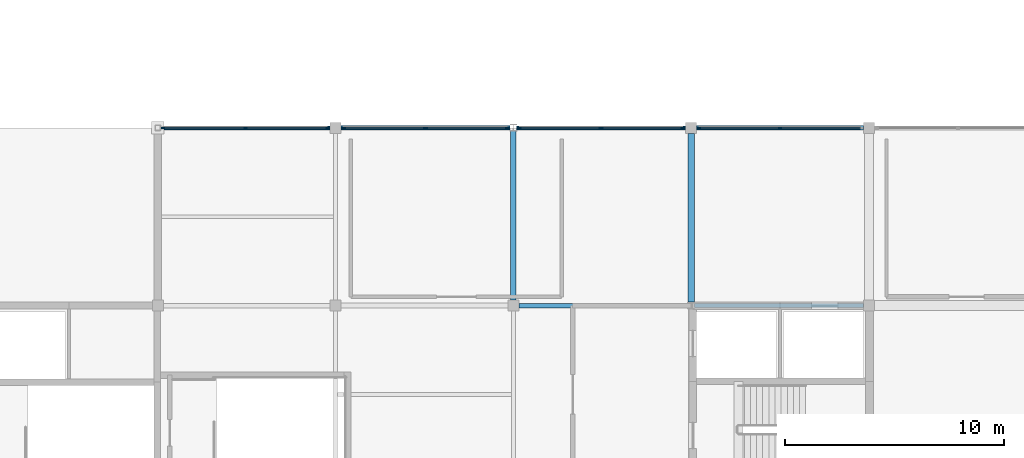
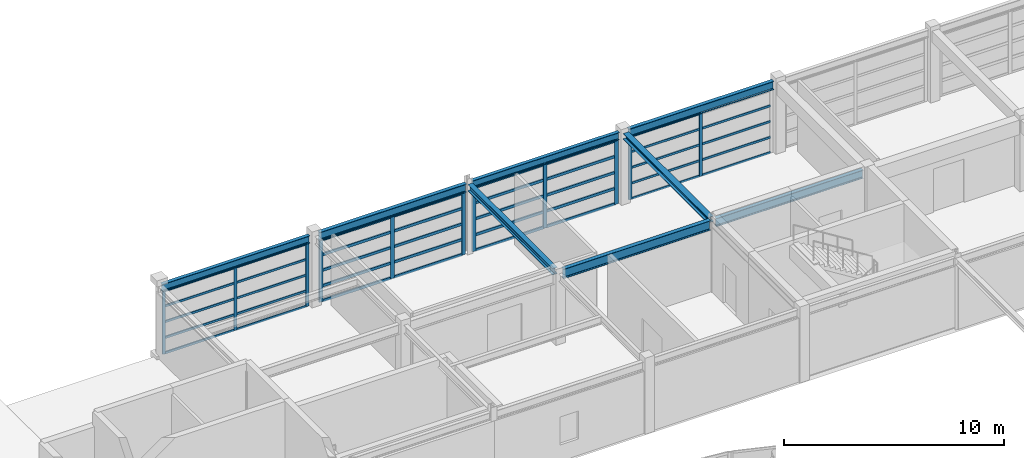
# One storey, part 27 of 54: 50 members, 8 beams, 4 elements without a shape of their own.
"""IFC4 building model written with IfcOpenShell, lengths in metres."""

from ifc_helpers import new_model, si_unit, direction, frame, origin, origin_2d, place, context, subcontext, project, spatial, rectangle, i_section, extrude, material, material_profile, profile_set, type_object, element, aggregate, save


model = new_model("IFC4")

# Units and contexts
model_context = context("Model", 3, precision=1e-05, world=origin(), true_north=direction((0.0, 1.0)))
body_context = subcontext(model_context, "Body", "Model", "MODEL_VIEW")
ifc_project = project(units=[si_unit("LENGTHUNIT", "METRE"), si_unit("AREAUNIT", "SQUARE_METRE"), si_unit("VOLUMEUNIT", "CUBIC_METRE"), si_unit("PLANEANGLEUNIT", "RADIAN"), si_unit("MASSUNIT", "GRAM", prefix="KILO")], contexts=[model_context])

# Site, building, storey
site_placement = place(None, origin())
site = spatial("IfcSite", under=ifc_project, at=site_placement, CompositionType="ELEMENT")
building_placement = place(site_placement, origin())
building = spatial("IfcBuilding", under=site, at=building_placement, Name="Parian Resonance Hall", CompositionType="ELEMENT")
storey_placement = place(building_placement, frame((0.0, 0.0, 15.0)))
storey = spatial("IfcBuildingStorey", under=building, at=storey_placement, Name="L03", CompositionType="ELEMENT", Elevation=15.0)

# Beams
ifc_material_1 = material(Name="Steel S355", Category="steel")
ifc_material_profile_1 = material_profile(ifc_material_1, i_section(OverallWidth=0.304931640625, OverallDepth=0.30810546875, WebThickness=0.010009765625, FlangeThickness=0.015380859375, FilletRadius=0.01513671875, at=origin_2d()), Name="W310x97")
ifc_profile_set_1 = profile_set([ifc_material_profile_1], Name="Steel S355")
beam_type_1 = type_object("IfcBeamType", Name="BM-W310x97", PredefinedType="BEAM", material=ifc_profile_set_1)
beam_1_placement = place(storey_placement, frame((56.699951171875, 81.154052734375, 3.805908203125), z_axis=(0.0, 1.0, 0.0), x_axis=(-1.0, 0.0, 0.0)))
element("IfcBeam", 1, at=beam_1_placement, inside=storey, type_object=beam_type_1, Name="GY-L03-0871", PredefinedType="BEAM", context=body_context, shape_type="SweptSolid", body=[
    extrude(i_section(OverallWidth=0.304931640625, OverallDepth=0.30810546875, WebThickness=0.010009765625, FlangeThickness=0.015380859375, FilletRadius=0.01513671875, at=origin_2d()), origin(), (0.0, 0.0, 1.0), 7.696044921875),
])
ifc_material_2 = material(Name="Steel S355", Category="steel")
ifc_material_profile_2 = material_profile(ifc_material_2, i_section(OverallWidth=0.2548828125, OverallDepth=0.35693359375, WebThickness=0.010498046875, FlangeThickness=0.018310546875, FilletRadius=0.01513671875, at=origin_2d()), Name="W360x101")
ifc_profile_set_2 = profile_set([ifc_material_profile_2], Name="Steel S355")
beam_type_2 = type_object("IfcBeamType", Name="BM-W360x101", PredefinedType="SPANDREL", material=ifc_profile_set_2)
beam_2_placement = place(storey_placement, frame((48.60009765625, 81.25, 3.7314453125), z_axis=(0.0, 1.0, 0.0), x_axis=(-1.0, 0.0, 0.0)))
element("IfcBeam", 2, at=beam_2_placement, inside=storey, type_object=beam_type_2, Name="GY-L03-0869", PredefinedType="SPANDREL", context=body_context, shape_type="SweptSolid", body=[
    extrude(i_section(OverallWidth=0.2548828125, OverallDepth=0.35693359375, WebThickness=0.010498046875, FlangeThickness=0.018310546875, FilletRadius=0.01513671875, at=origin_2d()), origin(), (0.0, 0.0, 1.0), 7.696044921875),
])
ifc_material_3 = material(Name="Steel S355", Category="steel")
ifc_material_profile_3 = material_profile(ifc_material_3, i_section(OverallWidth=0.180908203125, OverallDepth=0.4169921875, WebThickness=0.010986328125, FlangeThickness=0.018310546875, FilletRadius=0.01513671875, at=origin_2d()), Name="W410x85")
ifc_profile_set_3 = profile_set([ifc_material_profile_3], Name="Steel S355")
beam_type_3 = type_object("IfcBeamType", Name="BM-W410x85", PredefinedType="SPANDREL", material=ifc_profile_set_3)
beam_3_placement = place(storey_placement, frame((32.52490234375, 89.10009765625, 3.701416015625), z_axis=(1.0, 0.0, 0.0), x_axis=(0.0, 1.0, 0.0)))
element("IfcBeam", 3, at=beam_3_placement, inside=storey, type_object=beam_type_3, Name="GX-L03-0815", PredefinedType="SPANDREL", context=body_context, shape_type="SweptSolid", body=[
    extrude(i_section(OverallWidth=0.180908203125, OverallDepth=0.4169921875, WebThickness=0.010986328125, FlangeThickness=0.018310546875, FilletRadius=0.01513671875, at=origin_2d()), origin(), (0.0, 0.0, 1.0), 7.72509765625),
])
beam_4_placement = place(storey_placement, frame((48.75244140625, 89.10009765625, 3.75146484375), z_axis=(1.0, 0.0, 0.0), x_axis=(0.0, 1.0, 0.0)))
element("IfcBeam", 4, at=beam_4_placement, inside=storey, type_object=beam_type_3, Name="GX-L03-0821", PredefinedType="SPANDREL", context=body_context, shape_type="SweptSolid", body=[
    extrude(i_section(OverallWidth=0.180908203125, OverallDepth=0.4169921875, WebThickness=0.010986328125, FlangeThickness=0.018310546875, FilletRadius=0.01513671875, at=origin_2d()), origin(), (0.0, 0.0, 1.0), 7.697509765625),
])
ifc_material_4 = material(Name="Steel S355", Category="steel")
ifc_material_profile_4 = material_profile(ifc_material_4, i_section(OverallWidth=0.194091796875, OverallDepth=0.468994140625, WebThickness=0.0126953125, FlangeThickness=0.0205078125, FilletRadius=0.01513671875, at=origin_2d()), Name="W460x106")
ifc_profile_set_4 = profile_set([ifc_material_profile_4], Name="Steel S355")
beam_type_4 = type_object("IfcBeamType", Name="BM-W460x106", PredefinedType="SPANDREL", material=ifc_profile_set_4)
beam_5_placement = place(storey_placement, frame((40.75, 89.10009765625, 3.675537109375), z_axis=(1.0, 0.0, 0.0), x_axis=(0.0, 1.0, 0.0)))
element("IfcBeam", 5, at=beam_5_placement, inside=storey, type_object=beam_type_4, Name="GX-L03-0818", PredefinedType="SPANDREL", context=body_context, shape_type="SweptSolid", body=[
    extrude(i_section(OverallWidth=0.194091796875, OverallDepth=0.468994140625, WebThickness=0.0126953125, FlangeThickness=0.0205078125, FilletRadius=0.01513671875, at=origin_2d()), origin(), (0.0, 0.0, 1.0), 7.697509765625),
])
beam_6_placement = place(storey_placement, frame((56.949951171875, 89.10009765625, 3.7255859375), z_axis=(1.0, 0.0, 0.0), x_axis=(0.0, 1.0, 0.0)))
element("IfcBeam", 6, at=beam_6_placement, inside=storey, type_object=beam_type_4, Name="GX-L03-0824", PredefinedType="SPANDREL", context=body_context, shape_type="SweptSolid", body=[
    extrude(i_section(OverallWidth=0.194091796875, OverallDepth=0.468994140625, WebThickness=0.0126953125, FlangeThickness=0.0205078125, FilletRadius=0.01513671875, at=origin_2d()), origin(), (0.0, 0.0, 1.0), 7.60009765625),
])
ifc_material_5 = material(Name="Steel S355", Category="steel")
ifc_material_profile_5 = material_profile(ifc_material_5, i_section(OverallWidth=0.19091796875, OverallDepth=0.4599609375, WebThickness=0.010009765625, FlangeThickness=0.01611328125, FilletRadius=0.01513671875, at=origin_2d()), Name="W460x82")
ifc_profile_set_5 = profile_set([ifc_material_profile_5], Name="Steel S355")
beam_type_5 = type_object("IfcBeamType", Name="BM-W460x82", PredefinedType="BEAM", material=ifc_profile_set_5)
beam_7_placement = place(storey_placement, frame((56.8525390625, 81.0, 3.72998046875), z_axis=(1.0, 0.0, 0.0), x_axis=(0.0, 1.0, 0.0)))
element("IfcBeam", 7, at=beam_7_placement, inside=storey, type_object=beam_type_5, Name="GX-L03-0823", PredefinedType="BEAM", context=body_context, shape_type="SweptSolid", body=[
    extrude(i_section(OverallWidth=0.19091796875, OverallDepth=0.4599609375, WebThickness=0.010009765625, FlangeThickness=0.01611328125, FilletRadius=0.01513671875, at=origin_2d()), origin(), (0.0, 0.0, 1.0), 7.697509765625),
])
ifc_material_6 = material(Name="Steel S355", Category="steel")
ifc_material_profile_6 = material_profile(ifc_material_6, i_section(OverallWidth=0.208984375, OverallDepth=0.532958984375, WebThickness=0.01025390625, FlangeThickness=0.015625, FilletRadius=0.017822265625, at=origin_2d()), Name="W530x92")
ifc_profile_set_6 = profile_set([ifc_material_profile_6], Name="Steel S355")
beam_type_6 = type_object("IfcBeamType", Name="BM-W530x92", PredefinedType="BEAM", material=ifc_profile_set_6)
beam_8_placement = place(storey_placement, frame((48.85009765625, 81.0, 3.693603515625), z_axis=(1.0, 0.0, 0.0), x_axis=(0.0, 1.0, 0.0)))
element("IfcBeam", 8, at=beam_8_placement, inside=storey, type_object=beam_type_6, Name="GX-L03-0820", PredefinedType="BEAM", context=body_context, shape_type="SweptSolid", body=[
    extrude(i_section(OverallWidth=0.208984375, OverallDepth=0.532958984375, WebThickness=0.01025390625, FlangeThickness=0.015625, FilletRadius=0.017822265625, at=origin_2d()), origin(), (0.0, 0.0, 1.0), 7.697509765625),
])

# Curtain wall, members
ifc_material_7 = material(Name="Bronze-anodised aluminium frame", Category="aluminium")
curtain_wall_type_1 = type_object("IfcCurtainWallType", Name="CW-SYS-01", PredefinedType="NOTDEFINED", material=ifc_material_7)
curtain_wall_1_placement = place(storey_placement, origin())
curtain_wall_1 = element("IfcCurtainWall", 9, at=curtain_wall_1_placement, inside=storey, type_object=curtain_wall_type_1, Name="Curtain wall CW-L03-079", PredefinedType="NOTDEFINED")
ifc_material_8 = material(Name="Bronze-anodised aluminium frame", Category="aluminium")
ifc_material_profile_7 = material_profile(ifc_material_8, rectangle(XDim=0.06494140625, YDim=0.159912109375, at=origin_2d()), Name="CWM-65x160")
ifc_profile_set_7 = profile_set([ifc_material_profile_7], Name="Bronze-anodised aluminium frame")
member_type_1 = type_object("IfcMemberType", Name="CWM-65x160", PredefinedType="MULLION", material=ifc_profile_set_7)
member_1_placement = place(storey_placement, frame((32.637451171875, 89.10009765625, -0.008056640625), z_axis=(0.0, 0.0, 1.0), x_axis=(0.0, 1.0, 0.0)))
member_1 = element("IfcMember", 10, at=member_1_placement, type_object=member_type_1, Name="CW-01 mullion 1", PredefinedType="MULLION", context=body_context, shape_type="SweptSolid", body=[
    extrude(rectangle(XDim=0.06494140625, YDim=0.159912109375, at=origin_2d()), origin(), (0.0, 0.0, 1.0), 3.505126953125),
])
member_2_placement = place(storey_placement, frame((36.387451171875, 89.10009765625, -0.008056640625), z_axis=(0.0, 0.0, 1.0), x_axis=(0.0, 1.0, 0.0)))
member_2 = element("IfcMember", 11, at=member_2_placement, type_object=member_type_1, Name="CW-01 mullion 2", PredefinedType="MULLION", context=body_context, shape_type="SweptSolid", body=[
    extrude(rectangle(XDim=0.06494140625, YDim=0.159912109375, at=origin_2d()), origin(), (0.0, 0.0, 1.0), 3.505126953125),
])
member_3_placement = place(storey_placement, frame((40.137451171875, 89.10009765625, -0.008056640625), z_axis=(0.0, 0.0, 1.0), x_axis=(0.0, 1.0, 0.0)))
member_3 = element("IfcMember", 12, at=member_3_placement, type_object=member_type_1, Name="CW-01 mullion 3", PredefinedType="MULLION", context=body_context, shape_type="SweptSolid", body=[
    extrude(rectangle(XDim=0.06494140625, YDim=0.159912109375, at=origin_2d()), origin(), (0.0, 0.0, 1.0), 3.505126953125),
])

ifc_material_9 = material(Name="Bronze-anodised aluminium frame", Category="aluminium")
curtain_wall_type_2 = type_object("IfcCurtainWallType", Name="CW-SYS-04", PredefinedType="NOTDEFINED", material=ifc_material_9)
curtain_wall_2_placement = place(storey_placement, origin())
curtain_wall_2 = element("IfcCurtainWall", 13, at=curtain_wall_2_placement, inside=storey, type_object=curtain_wall_type_2, Name="Curtain wall CW-L03-089", PredefinedType="NOTDEFINED")
member_4_placement = place(storey_placement, frame((57.0625, 89.10009765625, -0.008056640625), z_axis=(0.0, 0.0, 1.0), x_axis=(0.0, 1.0, 0.0)))
member_4 = element("IfcMember", 14, at=member_4_placement, type_object=member_type_1, Name="CW-04 mullion 1", PredefinedType="MULLION", context=body_context, shape_type="SweptSolid", body=[
    extrude(rectangle(XDim=0.06494140625, YDim=0.159912109375, at=origin_2d()), origin(), (0.0, 0.0, 1.0), 3.503173828125),
])
member_5_placement = place(storey_placement, frame((60.75, 89.10009765625, -0.008056640625), z_axis=(0.0, 0.0, 1.0), x_axis=(0.0, 1.0, 0.0)))
member_5 = element("IfcMember", 15, at=member_5_placement, type_object=member_type_1, Name="CW-04 mullion 2", PredefinedType="MULLION", context=body_context, shape_type="SweptSolid", body=[
    extrude(rectangle(XDim=0.06494140625, YDim=0.159912109375, at=origin_2d()), origin(), (0.0, 0.0, 1.0), 3.503173828125),
])

ifc_material_10 = material(Name="Bronze-anodised aluminium frame", Category="aluminium")
curtain_wall_type_3 = type_object("IfcCurtainWallType", Name="CW-SYS-02", PredefinedType="NOTDEFINED", material=ifc_material_10)
curtain_wall_3_placement = place(storey_placement, origin())
curtain_wall_3 = element("IfcCurtainWall", 16, at=curtain_wall_3_placement, inside=storey, type_object=curtain_wall_type_3, Name="Curtain wall CW-L03-082", PredefinedType="NOTDEFINED")
ifc_material_11 = material(Name="Bronze-anodised aluminium frame", Category="aluminium")
ifc_material_profile_8 = material_profile(ifc_material_11, rectangle(XDim=0.074951171875, YDim=0.199951171875, at=origin_2d()), Name="CWM-75x200")
ifc_profile_set_8 = profile_set([ifc_material_profile_8], Name="Bronze-anodised aluminium frame")
member_type_2 = type_object("IfcMemberType", Name="CWM-75x200", PredefinedType="MULLION", material=ifc_profile_set_8)
member_6_placement = place(storey_placement, frame((40.867431640625, 89.10009765625, -0.008056640625), z_axis=(0.0, 0.0, 1.0), x_axis=(0.0, 1.0, 0.0)))
member_6 = element("IfcMember", 17, at=member_6_placement, type_object=member_type_2, Name="CW-02 mullion 1", PredefinedType="MULLION", context=body_context, shape_type="SweptSolid", body=[
    extrude(rectangle(XDim=0.074951171875, YDim=0.199951171875, at=origin_2d()), origin(), (0.0, 0.0, 1.0), 3.453125),
])
member_7_placement = place(storey_placement, frame((44.5986328125, 89.10009765625, -0.008056640625), z_axis=(0.0, 0.0, 1.0), x_axis=(0.0, 1.0, 0.0)))
member_7 = element("IfcMember", 18, at=member_7_placement, type_object=member_type_2, Name="CW-02 mullion 2", PredefinedType="MULLION", context=body_context, shape_type="SweptSolid", body=[
    extrude(rectangle(XDim=0.074951171875, YDim=0.199951171875, at=origin_2d()), origin(), (0.0, 0.0, 1.0), 3.453125),
])
member_8_placement = place(storey_placement, frame((48.330078125, 89.10009765625, -0.008056640625), z_axis=(0.0, 0.0, 1.0), x_axis=(0.0, 1.0, 0.0)))
member_8 = element("IfcMember", 19, at=member_8_placement, type_object=member_type_2, Name="CW-02 mullion 3", PredefinedType="MULLION", context=body_context, shape_type="SweptSolid", body=[
    extrude(rectangle(XDim=0.074951171875, YDim=0.199951171875, at=origin_2d()), origin(), (0.0, 0.0, 1.0), 3.453125),
])

ifc_material_12 = material(Name="Bronze-anodised aluminium frame", Category="aluminium")
curtain_wall_type_4 = type_object("IfcCurtainWallType", Name="CW-SYS-03", PredefinedType="NOTDEFINED", material=ifc_material_12)
curtain_wall_4_placement = place(storey_placement, origin())
curtain_wall_4 = element("IfcCurtainWall", 20, at=curtain_wall_4_placement, inside=storey, type_object=curtain_wall_type_4, Name="Curtain wall CW-L03-086", PredefinedType="NOTDEFINED")
member_9_placement = place(storey_placement, frame((48.8701171875, 89.10009765625, -0.008056640625), z_axis=(0.0, 0.0, 1.0), x_axis=(0.0, 1.0, 0.0)))
member_9 = element("IfcMember", 21, at=member_9_placement, type_object=member_type_2, Name="CW-03 mullion 1", PredefinedType="MULLION", context=body_context, shape_type="SweptSolid", body=[
    extrude(rectangle(XDim=0.074951171875, YDim=0.199951171875, at=origin_2d()), origin(), (0.0, 0.0, 1.0), 3.55517578125),
])
member_10_placement = place(storey_placement, frame((52.601318359375, 89.10009765625, -0.008056640625), z_axis=(0.0, 0.0, 1.0), x_axis=(0.0, 1.0, 0.0)))
member_10 = element("IfcMember", 22, at=member_10_placement, type_object=member_type_2, Name="CW-03 mullion 2", PredefinedType="MULLION", context=body_context, shape_type="SweptSolid", body=[
    extrude(rectangle(XDim=0.074951171875, YDim=0.199951171875, at=origin_2d()), origin(), (0.0, 0.0, 1.0), 3.55517578125),
])
member_11_placement = place(storey_placement, frame((56.33251953125, 89.10009765625, -0.008056640625), z_axis=(0.0, 0.0, 1.0), x_axis=(0.0, 1.0, 0.0)))
member_11 = element("IfcMember", 23, at=member_11_placement, type_object=member_type_2, Name="CW-03 mullion 3", PredefinedType="MULLION", context=body_context, shape_type="SweptSolid", body=[
    extrude(rectangle(XDim=0.074951171875, YDim=0.199951171875, at=origin_2d()), origin(), (0.0, 0.0, 1.0), 3.55517578125),
])

# Member
ifc_material_13 = material(Name="Bronze-anodised aluminium frame", Category="aluminium")
ifc_material_profile_9 = material_profile(ifc_material_13, rectangle(XDim=0.06494140625, YDim=0.1201171875, at=origin_2d()), Name="CWT-65x120")
ifc_profile_set_9 = profile_set([ifc_material_profile_9], Name="Bronze-anodised aluminium frame")
member_type_3 = type_object("IfcMemberType", Name="CWT-65x120", PredefinedType="USERDEFINED", material=ifc_profile_set_9)
member_12_placement = place(storey_placement, frame((32.669921875, 89.10009765625, 0.0244140625), z_axis=(1.0, 0.0, 0.0), x_axis=(0.0, 1.0, 0.0)))
member_12 = element("IfcMember", 24, at=member_12_placement, type_object=member_type_3, Name="CW-01 transom 1.1", ObjectType="TRANSOM", PredefinedType="USERDEFINED", context=body_context, shape_type="SweptSolid", body=[
    extrude(rectangle(XDim=0.06494140625, YDim=0.1201171875, at=origin_2d()), origin(), (0.0, 0.0, 1.0), 3.68505859375),
])

member_13_placement = place(storey_placement, frame((32.669921875, 89.10009765625, 0.87158203125), z_axis=(1.0, 0.0, 0.0), x_axis=(0.0, 1.0, 0.0)))
member_13 = element("IfcMember", 25, at=member_13_placement, type_object=member_type_3, Name="CW-01 transom 1.2", ObjectType="TRANSOM", PredefinedType="USERDEFINED", context=body_context, shape_type="SweptSolid", body=[
    extrude(rectangle(XDim=0.06494140625, YDim=0.1201171875, at=origin_2d()), origin(), (0.0, 0.0, 1.0), 3.68505859375),
])

member_14_placement = place(storey_placement, frame((32.669921875, 89.10009765625, 1.743408203125), z_axis=(1.0, 0.0, 0.0), x_axis=(0.0, 1.0, 0.0)))
member_14 = element("IfcMember", 26, at=member_14_placement, type_object=member_type_3, Name="CW-01 transom 1.3", ObjectType="TRANSOM", PredefinedType="USERDEFINED", context=body_context, shape_type="SweptSolid", body=[
    extrude(rectangle(XDim=0.06494140625, YDim=0.1201171875, at=origin_2d()), origin(), (0.0, 0.0, 1.0), 3.68505859375),
])

member_15_placement = place(storey_placement, frame((32.669921875, 89.10009765625, 2.615234375), z_axis=(1.0, 0.0, 0.0), x_axis=(0.0, 1.0, 0.0)))
member_15 = element("IfcMember", 27, at=member_15_placement, type_object=member_type_3, Name="CW-01 transom 1.4", ObjectType="TRANSOM", PredefinedType="USERDEFINED", context=body_context, shape_type="SweptSolid", body=[
    extrude(rectangle(XDim=0.06494140625, YDim=0.1201171875, at=origin_2d()), origin(), (0.0, 0.0, 1.0), 3.68505859375),
])

member_16_placement = place(storey_placement, frame((32.669921875, 89.10009765625, 3.464599609375), z_axis=(1.0, 0.0, 0.0), x_axis=(0.0, 1.0, 0.0)))
member_16 = element("IfcMember", 28, at=member_16_placement, type_object=member_type_3, Name="CW-01 transom 1.5", ObjectType="TRANSOM", PredefinedType="USERDEFINED", context=body_context, shape_type="SweptSolid", body=[
    extrude(rectangle(XDim=0.06494140625, YDim=0.1201171875, at=origin_2d()), origin(), (0.0, 0.0, 1.0), 3.68505859375),
])

member_17_placement = place(storey_placement, frame((36.419921875, 89.10009765625, 0.0244140625), z_axis=(1.0, 0.0, 0.0), x_axis=(0.0, 1.0, 0.0)))
member_17 = element("IfcMember", 29, at=member_17_placement, type_object=member_type_3, Name="CW-01 transom 2.1", ObjectType="TRANSOM", PredefinedType="USERDEFINED", context=body_context, shape_type="SweptSolid", body=[
    extrude(rectangle(XDim=0.06494140625, YDim=0.1201171875, at=origin_2d()), origin(), (0.0, 0.0, 1.0), 3.68505859375),
])

member_18_placement = place(storey_placement, frame((36.419921875, 89.10009765625, 0.87158203125), z_axis=(1.0, 0.0, 0.0), x_axis=(0.0, 1.0, 0.0)))
member_18 = element("IfcMember", 30, at=member_18_placement, type_object=member_type_3, Name="CW-01 transom 2.2", ObjectType="TRANSOM", PredefinedType="USERDEFINED", context=body_context, shape_type="SweptSolid", body=[
    extrude(rectangle(XDim=0.06494140625, YDim=0.1201171875, at=origin_2d()), origin(), (0.0, 0.0, 1.0), 3.68505859375),
])

member_19_placement = place(storey_placement, frame((36.419921875, 89.10009765625, 1.743408203125), z_axis=(1.0, 0.0, 0.0), x_axis=(0.0, 1.0, 0.0)))
member_19 = element("IfcMember", 31, at=member_19_placement, type_object=member_type_3, Name="CW-01 transom 2.3", ObjectType="TRANSOM", PredefinedType="USERDEFINED", context=body_context, shape_type="SweptSolid", body=[
    extrude(rectangle(XDim=0.06494140625, YDim=0.1201171875, at=origin_2d()), origin(), (0.0, 0.0, 1.0), 3.68505859375),
])

member_20_placement = place(storey_placement, frame((36.419921875, 89.10009765625, 2.615234375), z_axis=(1.0, 0.0, 0.0), x_axis=(0.0, 1.0, 0.0)))
member_20 = element("IfcMember", 32, at=member_20_placement, type_object=member_type_3, Name="CW-01 transom 2.4", ObjectType="TRANSOM", PredefinedType="USERDEFINED", context=body_context, shape_type="SweptSolid", body=[
    extrude(rectangle(XDim=0.06494140625, YDim=0.1201171875, at=origin_2d()), origin(), (0.0, 0.0, 1.0), 3.68505859375),
])

member_21_placement = place(storey_placement, frame((36.419921875, 89.10009765625, 3.464599609375), z_axis=(1.0, 0.0, 0.0), x_axis=(0.0, 1.0, 0.0)))
member_21 = element("IfcMember", 33, at=member_21_placement, type_object=member_type_3, Name="CW-01 transom 2.5", ObjectType="TRANSOM", PredefinedType="USERDEFINED", context=body_context, shape_type="SweptSolid", body=[
    extrude(rectangle(XDim=0.06494140625, YDim=0.1201171875, at=origin_2d()), origin(), (0.0, 0.0, 1.0), 3.68505859375),
])

aggregate(curtain_wall_1, [member_1, member_2, member_3, member_12, member_13, member_14, member_15, member_16, member_17, member_18, member_19, member_20, member_21])

member_22_placement = place(storey_placement, frame((57.094970703125, 89.10009765625, 0.0244140625), z_axis=(1.0, 0.0, 0.0), x_axis=(0.0, 1.0, 0.0)))
member_22 = element("IfcMember", 34, at=member_22_placement, type_object=member_type_3, Name="CW-04 transom 1.1", ObjectType="TRANSOM", PredefinedType="USERDEFINED", context=body_context, shape_type="SweptSolid", body=[
    extrude(rectangle(XDim=0.06494140625, YDim=0.1201171875, at=origin_2d()), origin(), (0.0, 0.0, 1.0), 3.62255859375),
])

member_23_placement = place(storey_placement, frame((57.094970703125, 89.10009765625, 0.87109375), z_axis=(1.0, 0.0, 0.0), x_axis=(0.0, 1.0, 0.0)))
member_23 = element("IfcMember", 35, at=member_23_placement, type_object=member_type_3, Name="CW-04 transom 1.2", ObjectType="TRANSOM", PredefinedType="USERDEFINED", context=body_context, shape_type="SweptSolid", body=[
    extrude(rectangle(XDim=0.06494140625, YDim=0.1201171875, at=origin_2d()), origin(), (0.0, 0.0, 1.0), 3.62255859375),
])

member_24_placement = place(storey_placement, frame((57.094970703125, 89.10009765625, 1.742431640625), z_axis=(1.0, 0.0, 0.0), x_axis=(0.0, 1.0, 0.0)))
member_24 = element("IfcMember", 36, at=member_24_placement, type_object=member_type_3, Name="CW-04 transom 1.3", ObjectType="TRANSOM", PredefinedType="USERDEFINED", context=body_context, shape_type="SweptSolid", body=[
    extrude(rectangle(XDim=0.06494140625, YDim=0.1201171875, at=origin_2d()), origin(), (0.0, 0.0, 1.0), 3.62255859375),
])

member_25_placement = place(storey_placement, frame((57.094970703125, 89.10009765625, 2.61376953125), z_axis=(1.0, 0.0, 0.0), x_axis=(0.0, 1.0, 0.0)))
member_25 = element("IfcMember", 37, at=member_25_placement, type_object=member_type_3, Name="CW-04 transom 1.4", ObjectType="TRANSOM", PredefinedType="USERDEFINED", context=body_context, shape_type="SweptSolid", body=[
    extrude(rectangle(XDim=0.06494140625, YDim=0.1201171875, at=origin_2d()), origin(), (0.0, 0.0, 1.0), 3.62255859375),
])

member_26_placement = place(storey_placement, frame((57.094970703125, 89.10009765625, 3.46240234375), z_axis=(1.0, 0.0, 0.0), x_axis=(0.0, 1.0, 0.0)))
member_26 = element("IfcMember", 38, at=member_26_placement, type_object=member_type_3, Name="CW-04 transom 1.5", ObjectType="TRANSOM", PredefinedType="USERDEFINED", context=body_context, shape_type="SweptSolid", body=[
    extrude(rectangle(XDim=0.06494140625, YDim=0.1201171875, at=origin_2d()), origin(), (0.0, 0.0, 1.0), 3.62255859375),
])

member_27_placement = place(storey_placement, frame((60.782470703125, 89.10009765625, 0.0244140625), z_axis=(1.0, 0.0, 0.0), x_axis=(0.0, 1.0, 0.0)))
member_27 = element("IfcMember", 39, at=member_27_placement, type_object=member_type_3, Name="CW-04 transom 2.1", ObjectType="TRANSOM", PredefinedType="USERDEFINED", context=body_context, shape_type="SweptSolid", body=[
    extrude(rectangle(XDim=0.06494140625, YDim=0.1201171875, at=origin_2d()), origin(), (0.0, 0.0, 1.0), 3.62255859375),
])

member_28_placement = place(storey_placement, frame((60.782470703125, 89.10009765625, 0.87109375), z_axis=(1.0, 0.0, 0.0), x_axis=(0.0, 1.0, 0.0)))
member_28 = element("IfcMember", 40, at=member_28_placement, type_object=member_type_3, Name="CW-04 transom 2.2", ObjectType="TRANSOM", PredefinedType="USERDEFINED", context=body_context, shape_type="SweptSolid", body=[
    extrude(rectangle(XDim=0.06494140625, YDim=0.1201171875, at=origin_2d()), origin(), (0.0, 0.0, 1.0), 3.62255859375),
])

member_29_placement = place(storey_placement, frame((60.782470703125, 89.10009765625, 1.742431640625), z_axis=(1.0, 0.0, 0.0), x_axis=(0.0, 1.0, 0.0)))
member_29 = element("IfcMember", 41, at=member_29_placement, type_object=member_type_3, Name="CW-04 transom 2.3", ObjectType="TRANSOM", PredefinedType="USERDEFINED", context=body_context, shape_type="SweptSolid", body=[
    extrude(rectangle(XDim=0.06494140625, YDim=0.1201171875, at=origin_2d()), origin(), (0.0, 0.0, 1.0), 3.62255859375),
])

member_30_placement = place(storey_placement, frame((60.782470703125, 89.10009765625, 2.61376953125), z_axis=(1.0, 0.0, 0.0), x_axis=(0.0, 1.0, 0.0)))
member_30 = element("IfcMember", 42, at=member_30_placement, type_object=member_type_3, Name="CW-04 transom 2.4", ObjectType="TRANSOM", PredefinedType="USERDEFINED", context=body_context, shape_type="SweptSolid", body=[
    extrude(rectangle(XDim=0.06494140625, YDim=0.1201171875, at=origin_2d()), origin(), (0.0, 0.0, 1.0), 3.62255859375),
])

aggregate(curtain_wall_2, [member_4, member_5, member_22, member_23, member_24, member_25, member_26, member_27, member_28, member_29, member_30])

ifc_material_14 = material(Name="Bronze-anodised aluminium frame", Category="aluminium")
ifc_material_profile_10 = material_profile(ifc_material_14, rectangle(XDim=0.074951171875, YDim=0.14990234375, at=origin_2d()), Name="CWT-75x150")
ifc_profile_set_10 = profile_set([ifc_material_profile_10], Name="Bronze-anodised aluminium frame")
member_type_4 = type_object("IfcMemberType", Name="CWT-75x150", PredefinedType="USERDEFINED", material=ifc_profile_set_10)
member_31_placement = place(storey_placement, frame((40.905029296875, 89.10009765625, 0.029541015625), z_axis=(1.0, 0.0, 0.0), x_axis=(0.0, 1.0, 0.0)))
member_31 = element("IfcMember", 43, at=member_31_placement, type_object=member_type_4, Name="CW-02 transom 1.1", ObjectType="TRANSOM", PredefinedType="USERDEFINED", context=body_context, shape_type="SweptSolid", body=[
    extrude(rectangle(XDim=0.074951171875, YDim=0.14990234375, at=origin_2d()), origin(), (0.0, 0.0, 1.0), 3.65625),
])

member_32_placement = place(storey_placement, frame((40.905029296875, 89.10009765625, 0.85888671875), z_axis=(1.0, 0.0, 0.0), x_axis=(0.0, 1.0, 0.0)))
member_32 = element("IfcMember", 44, at=member_32_placement, type_object=member_type_4, Name="CW-02 transom 1.2", ObjectType="TRANSOM", PredefinedType="USERDEFINED", context=body_context, shape_type="SweptSolid", body=[
    extrude(rectangle(XDim=0.074951171875, YDim=0.14990234375, at=origin_2d()), origin(), (0.0, 0.0, 1.0), 3.65625),
])

member_33_placement = place(storey_placement, frame((40.905029296875, 89.10009765625, 1.717529296875), z_axis=(1.0, 0.0, 0.0), x_axis=(0.0, 1.0, 0.0)))
member_33 = element("IfcMember", 45, at=member_33_placement, type_object=member_type_4, Name="CW-02 transom 1.3", ObjectType="TRANSOM", PredefinedType="USERDEFINED", context=body_context, shape_type="SweptSolid", body=[
    extrude(rectangle(XDim=0.074951171875, YDim=0.14990234375, at=origin_2d()), origin(), (0.0, 0.0, 1.0), 3.65625),
])

member_34_placement = place(storey_placement, frame((40.905029296875, 89.10009765625, 2.576171875), z_axis=(1.0, 0.0, 0.0), x_axis=(0.0, 1.0, 0.0)))
member_34 = element("IfcMember", 46, at=member_34_placement, type_object=member_type_4, Name="CW-02 transom 1.4", ObjectType="TRANSOM", PredefinedType="USERDEFINED", context=body_context, shape_type="SweptSolid", body=[
    extrude(rectangle(XDim=0.074951171875, YDim=0.14990234375, at=origin_2d()), origin(), (0.0, 0.0, 1.0), 3.65625),
])

member_35_placement = place(storey_placement, frame((40.905029296875, 89.10009765625, 3.407470703125), z_axis=(1.0, 0.0, 0.0), x_axis=(0.0, 1.0, 0.0)))
member_35 = element("IfcMember", 47, at=member_35_placement, type_object=member_type_4, Name="CW-02 transom 1.5", ObjectType="TRANSOM", PredefinedType="USERDEFINED", context=body_context, shape_type="SweptSolid", body=[
    extrude(rectangle(XDim=0.074951171875, YDim=0.14990234375, at=origin_2d()), origin(), (0.0, 0.0, 1.0), 3.65625),
])

member_36_placement = place(storey_placement, frame((44.63623046875, 89.10009765625, 0.029541015625), z_axis=(1.0, 0.0, 0.0), x_axis=(0.0, 1.0, 0.0)))
member_36 = element("IfcMember", 48, at=member_36_placement, type_object=member_type_4, Name="CW-02 transom 2.1", ObjectType="TRANSOM", PredefinedType="USERDEFINED", context=body_context, shape_type="SweptSolid", body=[
    extrude(rectangle(XDim=0.074951171875, YDim=0.14990234375, at=origin_2d()), origin(), (0.0, 0.0, 1.0), 3.65625),
])

member_37_placement = place(storey_placement, frame((44.63623046875, 89.10009765625, 0.85888671875), z_axis=(1.0, 0.0, 0.0), x_axis=(0.0, 1.0, 0.0)))
member_37 = element("IfcMember", 49, at=member_37_placement, type_object=member_type_4, Name="CW-02 transom 2.2", ObjectType="TRANSOM", PredefinedType="USERDEFINED", context=body_context, shape_type="SweptSolid", body=[
    extrude(rectangle(XDim=0.074951171875, YDim=0.14990234375, at=origin_2d()), origin(), (0.0, 0.0, 1.0), 3.65625),
])

member_38_placement = place(storey_placement, frame((44.63623046875, 89.10009765625, 1.717529296875), z_axis=(1.0, 0.0, 0.0), x_axis=(0.0, 1.0, 0.0)))
member_38 = element("IfcMember", 50, at=member_38_placement, type_object=member_type_4, Name="CW-02 transom 2.3", ObjectType="TRANSOM", PredefinedType="USERDEFINED", context=body_context, shape_type="SweptSolid", body=[
    extrude(rectangle(XDim=0.074951171875, YDim=0.14990234375, at=origin_2d()), origin(), (0.0, 0.0, 1.0), 3.65625),
])

member_39_placement = place(storey_placement, frame((44.63623046875, 89.10009765625, 2.576171875), z_axis=(1.0, 0.0, 0.0), x_axis=(0.0, 1.0, 0.0)))
member_39 = element("IfcMember", 51, at=member_39_placement, type_object=member_type_4, Name="CW-02 transom 2.4", ObjectType="TRANSOM", PredefinedType="USERDEFINED", context=body_context, shape_type="SweptSolid", body=[
    extrude(rectangle(XDim=0.074951171875, YDim=0.14990234375, at=origin_2d()), origin(), (0.0, 0.0, 1.0), 3.65625),
])

member_40_placement = place(storey_placement, frame((44.63623046875, 89.10009765625, 3.407470703125), z_axis=(1.0, 0.0, 0.0), x_axis=(0.0, 1.0, 0.0)))
member_40 = element("IfcMember", 52, at=member_40_placement, type_object=member_type_4, Name="CW-02 transom 2.5", ObjectType="TRANSOM", PredefinedType="USERDEFINED", context=body_context, shape_type="SweptSolid", body=[
    extrude(rectangle(XDim=0.074951171875, YDim=0.14990234375, at=origin_2d()), origin(), (0.0, 0.0, 1.0), 3.65625),
])

aggregate(curtain_wall_3, [member_6, member_7, member_8, member_31, member_32, member_33, member_34, member_35, member_36, member_37, member_38, member_39, member_40])

member_41_placement = place(storey_placement, frame((48.907470703125, 89.10009765625, 0.029541015625), z_axis=(1.0, 0.0, 0.0), x_axis=(0.0, 1.0, 0.0)))
member_41 = element("IfcMember", 53, at=member_41_placement, type_object=member_type_4, Name="CW-03 transom 1.1", ObjectType="TRANSOM", PredefinedType="USERDEFINED", context=body_context, shape_type="SweptSolid", body=[
    extrude(rectangle(XDim=0.074951171875, YDim=0.14990234375, at=origin_2d()), origin(), (0.0, 0.0, 1.0), 3.65625),
])

member_42_placement = place(storey_placement, frame((48.907470703125, 89.10009765625, 0.88427734375), z_axis=(1.0, 0.0, 0.0), x_axis=(0.0, 1.0, 0.0)))
member_42 = element("IfcMember", 54, at=member_42_placement, type_object=member_type_4, Name="CW-03 transom 1.2", ObjectType="TRANSOM", PredefinedType="USERDEFINED", context=body_context, shape_type="SweptSolid", body=[
    extrude(rectangle(XDim=0.074951171875, YDim=0.14990234375, at=origin_2d()), origin(), (0.0, 0.0, 1.0), 3.65625),
])

member_43_placement = place(storey_placement, frame((48.907470703125, 89.10009765625, 1.7685546875), z_axis=(1.0, 0.0, 0.0), x_axis=(0.0, 1.0, 0.0)))
member_43 = element("IfcMember", 55, at=member_43_placement, type_object=member_type_4, Name="CW-03 transom 1.3", ObjectType="TRANSOM", PredefinedType="USERDEFINED", context=body_context, shape_type="SweptSolid", body=[
    extrude(rectangle(XDim=0.074951171875, YDim=0.14990234375, at=origin_2d()), origin(), (0.0, 0.0, 1.0), 3.65625),
])

member_44_placement = place(storey_placement, frame((48.907470703125, 89.10009765625, 2.652587890625), z_axis=(1.0, 0.0, 0.0), x_axis=(0.0, 1.0, 0.0)))
member_44 = element("IfcMember", 56, at=member_44_placement, type_object=member_type_4, Name="CW-03 transom 1.4", ObjectType="TRANSOM", PredefinedType="USERDEFINED", context=body_context, shape_type="SweptSolid", body=[
    extrude(rectangle(XDim=0.074951171875, YDim=0.14990234375, at=origin_2d()), origin(), (0.0, 0.0, 1.0), 3.65625),
])

member_45_placement = place(storey_placement, frame((48.907470703125, 89.10009765625, 3.509521484375), z_axis=(1.0, 0.0, 0.0), x_axis=(0.0, 1.0, 0.0)))
member_45 = element("IfcMember", 57, at=member_45_placement, type_object=member_type_4, Name="CW-03 transom 1.5", ObjectType="TRANSOM", PredefinedType="USERDEFINED", context=body_context, shape_type="SweptSolid", body=[
    extrude(rectangle(XDim=0.074951171875, YDim=0.14990234375, at=origin_2d()), origin(), (0.0, 0.0, 1.0), 3.65625),
])

member_46_placement = place(storey_placement, frame((52.638671875, 89.10009765625, 0.029541015625), z_axis=(1.0, 0.0, 0.0), x_axis=(0.0, 1.0, 0.0)))
member_46 = element("IfcMember", 58, at=member_46_placement, type_object=member_type_4, Name="CW-03 transom 2.1", ObjectType="TRANSOM", PredefinedType="USERDEFINED", context=body_context, shape_type="SweptSolid", body=[
    extrude(rectangle(XDim=0.074951171875, YDim=0.14990234375, at=origin_2d()), origin(), (0.0, 0.0, 1.0), 3.65625),
])

member_47_placement = place(storey_placement, frame((52.638671875, 89.10009765625, 0.88427734375), z_axis=(1.0, 0.0, 0.0), x_axis=(0.0, 1.0, 0.0)))
member_47 = element("IfcMember", 59, at=member_47_placement, type_object=member_type_4, Name="CW-03 transom 2.2", ObjectType="TRANSOM", PredefinedType="USERDEFINED", context=body_context, shape_type="SweptSolid", body=[
    extrude(rectangle(XDim=0.074951171875, YDim=0.14990234375, at=origin_2d()), origin(), (0.0, 0.0, 1.0), 3.65625),
])

member_48_placement = place(storey_placement, frame((52.638671875, 89.10009765625, 1.7685546875), z_axis=(1.0, 0.0, 0.0), x_axis=(0.0, 1.0, 0.0)))
member_48 = element("IfcMember", 60, at=member_48_placement, type_object=member_type_4, Name="CW-03 transom 2.3", ObjectType="TRANSOM", PredefinedType="USERDEFINED", context=body_context, shape_type="SweptSolid", body=[
    extrude(rectangle(XDim=0.074951171875, YDim=0.14990234375, at=origin_2d()), origin(), (0.0, 0.0, 1.0), 3.65625),
])

member_49_placement = place(storey_placement, frame((52.638671875, 89.10009765625, 2.652587890625), z_axis=(1.0, 0.0, 0.0), x_axis=(0.0, 1.0, 0.0)))
member_49 = element("IfcMember", 61, at=member_49_placement, type_object=member_type_4, Name="CW-03 transom 2.4", ObjectType="TRANSOM", PredefinedType="USERDEFINED", context=body_context, shape_type="SweptSolid", body=[
    extrude(rectangle(XDim=0.074951171875, YDim=0.14990234375, at=origin_2d()), origin(), (0.0, 0.0, 1.0), 3.65625),
])

member_50_placement = place(storey_placement, frame((52.638671875, 89.10009765625, 3.509521484375), z_axis=(1.0, 0.0, 0.0), x_axis=(0.0, 1.0, 0.0)))
member_50 = element("IfcMember", 62, at=member_50_placement, type_object=member_type_4, Name="CW-03 transom 2.5", ObjectType="TRANSOM", PredefinedType="USERDEFINED", context=body_context, shape_type="SweptSolid", body=[
    extrude(rectangle(XDim=0.074951171875, YDim=0.14990234375, at=origin_2d()), origin(), (0.0, 0.0, 1.0), 3.65625),
])

aggregate(curtain_wall_4, [member_9, member_10, member_11, member_41, member_42, member_43, member_44, member_45, member_46, member_47, member_48, member_49, member_50])

save(model, "model.ifc")
